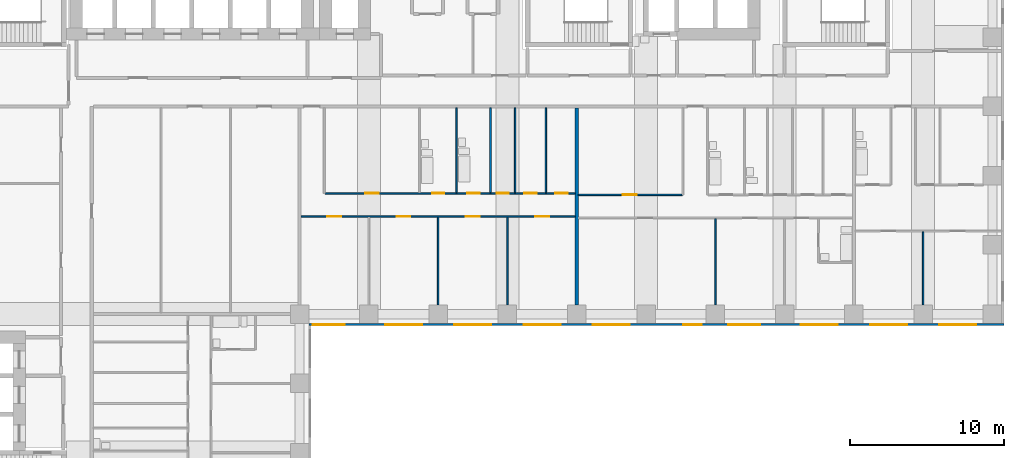
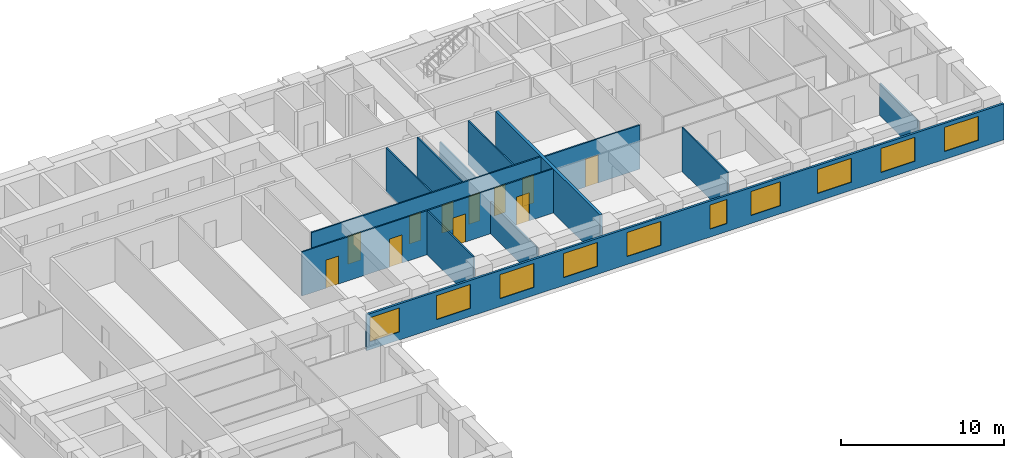
# One storey, part 6 of 12: 13 walls, 11 doors, 10 windows, 21 openings.
"""IFC4 building model written with IfcOpenShell, lengths in metres."""

from ifc_helpers import new_model, si_unit, direction, frame, frame_2d, origin, place, context, subcontext, project, spatial, rectangle, extrude, material, layer, layer_set, type_object, element, fill, save


model = new_model("IFC4")

# Units and contexts
model_context = context("Model", 3, precision=1e-05, world=origin(), true_north=direction((0.0, 1.0)))
body_context = subcontext(model_context, "Body", "Model", "MODEL_VIEW")
ifc_project = project(units=[si_unit("LENGTHUNIT", "METRE"), si_unit("AREAUNIT", "SQUARE_METRE"), si_unit("VOLUMEUNIT", "CUBIC_METRE"), si_unit("PLANEANGLEUNIT", "RADIAN"), si_unit("MASSUNIT", "GRAM", prefix="KILO")], contexts=[model_context])

# Site, building, storey
site_placement = place(None, origin())
site = spatial("IfcSite", under=ifc_project, at=site_placement, CompositionType="ELEMENT")
building_placement = place(site_placement, origin())
building = spatial("IfcBuilding", under=site, at=building_placement, Name="Firuza Court", CompositionType="ELEMENT")
storey_placement = place(building_placement, frame((0.0, 0.0, 97.39990234375)))
storey = spatial("IfcBuildingStorey", under=building, at=storey_placement, Name="L24", CompositionType="ELEMENT", Elevation=97.39990234375)

# Walls
ifc_material_1 = material(Name="Moisture-resistant gypsum board partition")
ifc_layer_1 = layer(ifc_material_1, 0.10009765625)
ifc_layer_set_1 = layer_set([ifc_layer_1], Name="Moisture-resistant gypsum board partition")
wall_type_1 = type_object("IfcWallType", Name="Bathroom partition 100", PredefinedType="PLUMBINGWALL", material=ifc_layer_set_1)
for number, where, z_axis, x_axis, name in (
    (1, (32.699951171875, 43.89990234375, 0.0), (0.0, 0.0, 1.0), (0.0, 1.0, 0.0), "Bathroom partition 100 L24"),
    (2, (34.89990234375, 43.89990234375, 0.0), (0.0, 0.0, 1.0), (0.0, 1.0, 0.0), "Bathroom partition 100 L24"),
):
    element("IfcWall", number, at=place(storey_placement, frame(where, z_axis=z_axis, x_axis=x_axis)), inside=storey, type_object=wall_type_1, Name=name, PredefinedType="PLUMBINGWALL", context=body_context, shape_type="SweptSolid", body=[
        extrude(rectangle(XDim=5.5, YDim=0.10009765625, at=frame_2d((2.75, 0.0))), origin(), (0.0, 0.0, 1.0), 3.300048828125),
    ])
ifc_material_2 = material(Name="Timber stud partition, plasterboard both sides", Category="wood")
ifc_layer_2 = layer(ifc_material_2, 0.10009765625)
ifc_layer_set_2 = layer_set([ifc_layer_2], Name="Timber stud partition, plasterboard both sides")
wall_type_2 = type_object("IfcWallType", Name="Partition wall 100", PredefinedType="PARTITIONING", material=ifc_layer_set_2)
wall_1_placement = place(storey_placement, frame((31.5, 36.60009765625, 0.0), z_axis=(0.0, 0.0, 1.0), x_axis=(0.0, 1.0, 0.0)))
element("IfcWall", 3, at=wall_1_placement, inside=storey, type_object=wall_type_2, Name="Partition wall 100 L24", PredefinedType="PARTITIONING", context=body_context, shape_type="SweptSolid", body=[
    extrude(rectangle(XDim=5.699951171875, YDim=0.10009765625, at=frame_2d((2.85009765625, 0.0))), origin(), (0.0, 0.0, 1.0), 3.300048828125),
])
wall_2_placement = place(storey_placement, frame((36.0, 36.60009765625, 0.0), z_axis=(0.0, 0.0, 1.0), x_axis=(0.0, 1.0, 0.0)))
element("IfcWall", 4, at=wall_2_placement, inside=storey, type_object=wall_type_2, Name="Partition wall 100 L24", PredefinedType="PARTITIONING", context=body_context, shape_type="SweptSolid", body=[
    extrude(rectangle(XDim=5.699951171875, YDim=0.10009765625, at=frame_2d((2.85009765625, 0.0))), origin(), (0.0, 0.0, 1.0), 2.400146484375),
])
wall_3_placement = place(storey_placement, frame((49.5, 36.60009765625, 0.0), z_axis=(0.0, 0.0, 1.0), x_axis=(0.0, 1.0, 0.0)))
element("IfcWall", 5, at=wall_3_placement, inside=storey, type_object=wall_type_2, Name="Partition wall 100 L24", PredefinedType="PARTITIONING", context=body_context, shape_type="SweptSolid", body=[
    extrude(rectangle(XDim=5.599853515625, YDim=0.10009765625, at=frame_2d((2.7998046875, 0.0))), origin(), (0.0, 0.0, 1.0), 3.300048828125),
])
wall_4_placement = place(storey_placement, frame((63.0, 36.60009765625, 0.0), z_axis=(0.0, 0.0, 1.0), x_axis=(0.0, 1.0, 0.0)))
element("IfcWall", 6, at=wall_4_placement, inside=storey, type_object=wall_type_2, Name="Partition wall 100 L24", PredefinedType="PARTITIONING", context=body_context, shape_type="SweptSolid", body=[
    extrude(rectangle(XDim=4.75, YDim=0.10009765625, at=frame_2d((2.375, 0.0))), origin(), (0.0, 0.0, 1.0), 2.400146484375),
])

# Wall, openings, doors
wall_5_placement = place(storey_placement, frame((22.60009765625, 42.35009765625, 0.0), z_axis=(0.0, 0.0, 1.0), x_axis=(1.0, 0.0, 0.0)))
wall_5 = element("IfcWall", 7, at=wall_5_placement, inside=storey, type_object=wall_type_2, Name="Partition wall 100 L24", PredefinedType="PARTITIONING", context=body_context, shape_type="SweptSolid", body=[
    extrude(rectangle(XDim=17.7998046875, YDim=0.10009765625, at=frame_2d((8.89990234375, 0.0))), origin(), (0.0, 0.0, 1.0), 3.300048828125),
])
opening_1_placement = place(wall_5_placement, frame((1.699951171875, 0.0, 0.0)))
opening_1 = element("IfcOpeningElement", 8, at=opening_1_placement, cuts=wall_5, Name="Opening D24047", PredefinedType="OPENING", context=body_context, shape_type="SweptSolid", body=[
    extrude(rectangle(XDim=0.89990234375, YDim=2.10009765625, at=frame_2d((0.449951171875, 1.050048828125))), frame((0.0, 0.06201171875, 0.0), z_axis=(0.0, -1.0, 0.0), x_axis=(1.0, 0.0, 0.0)), (0.0, 0.0, 1.0), 0.1240234375),
])
opening_2_placement = place(wall_5_placement, frame((6.199951171875, 0.0, 0.0)))
opening_2 = element("IfcOpeningElement", 9, at=opening_2_placement, cuts=wall_5, Name="Opening D24048", PredefinedType="OPENING", context=body_context, shape_type="SweptSolid", body=[
    extrude(rectangle(XDim=0.89990234375, YDim=2.10009765625, at=frame_2d((0.449951171875, 1.050048828125))), frame((0.0, 0.06201171875, 0.0), z_axis=(0.0, -1.0, 0.0), x_axis=(1.0, 0.0, 0.0)), (0.0, 0.0, 1.0), 0.1240234375),
])
opening_3_placement = place(wall_5_placement, frame((10.699951171875, 0.0, 0.0)))
opening_3 = element("IfcOpeningElement", 10, at=opening_3_placement, cuts=wall_5, Name="Opening D24049", PredefinedType="OPENING", context=body_context, shape_type="SweptSolid", body=[
    extrude(rectangle(XDim=0.89990234375, YDim=2.10009765625, at=frame_2d((0.449951171875, 1.050048828125))), frame((0.0, 0.06201171875, 0.0), z_axis=(0.0, -1.0, 0.0), x_axis=(1.0, 0.0, 0.0)), (0.0, 0.0, 1.0), 0.1240234375),
])
opening_4_placement = place(wall_5_placement, frame((15.199951171875, 0.0, 0.0)))
opening_4 = element("IfcOpeningElement", 11, at=opening_4_placement, cuts=wall_5, Name="Opening D24050", PredefinedType="OPENING", context=body_context, shape_type="SweptSolid", body=[
    extrude(rectangle(XDim=0.89990234375, YDim=2.10009765625, at=frame_2d((0.449951171875, 1.050048828125))), frame((0.0, 0.06201171875, 0.0), z_axis=(0.0, -1.0, 0.0), x_axis=(1.0, 0.0, 0.0)), (0.0, 0.0, 1.0), 0.1240234375),
])
ifc_material_3 = material(Name="Timber door leaf in hardwood frame", Category="wood")
door_type_1 = type_object("IfcDoorType", Name="Room door 900", OperationType="SINGLE_SWING_LEFT", PredefinedType="DOOR", material=ifc_material_3)
door_1_placement = place(opening_1_placement, frame((0.89990234375, 0.0, 0.0), z_axis=(0.0, 0.0, 1.0), x_axis=(-1.0, 0.0, 0.0)))
door_1 = element("IfcDoor", 12, at=door_1_placement, inside=storey, type_object=door_type_1, Name="Living room door", OperationType="SINGLE_SWING_RIGHT", OverallHeight=2.10009765625, OverallWidth=0.89990234375, PredefinedType="DOOR", context=body_context, shape_type="SweptSolid", body=[
    extrude(rectangle(XDim=0.89990234375, YDim=2.10009765625, at=frame_2d((0.449951171875, 1.050048828125))), frame((0.0, 0.02490234375, 0.0), z_axis=(0.0, -1.0, 0.0), x_axis=(1.0, 0.0, 0.0)), (0.0, 0.0, 1.0), 0.050048828125),
])
fill(opening_1, door_1)
door_2_placement = place(opening_2_placement, frame((0.89990234375, 0.0, 0.0), z_axis=(0.0, 0.0, 1.0), x_axis=(-1.0, 0.0, 0.0)))
door_2 = element("IfcDoor", 13, at=door_2_placement, inside=storey, type_object=door_type_1, Name="Bedroom door", OperationType="SINGLE_SWING_RIGHT", OverallHeight=2.10009765625, OverallWidth=0.89990234375, PredefinedType="DOOR", context=body_context, shape_type="SweptSolid", body=[
    extrude(rectangle(XDim=0.89990234375, YDim=2.10009765625, at=frame_2d((0.449951171875, 1.050048828125))), frame((0.0, 0.02490234375, 0.0), z_axis=(0.0, -1.0, 0.0), x_axis=(1.0, 0.0, 0.0)), (0.0, 0.0, 1.0), 0.050048828125),
])
fill(opening_2, door_2)
door_3_placement = place(opening_3_placement, frame((0.89990234375, 0.0, 0.0), z_axis=(0.0, 0.0, 1.0), x_axis=(-1.0, 0.0, 0.0)))
door_3 = element("IfcDoor", 14, at=door_3_placement, inside=storey, type_object=door_type_1, Name="Bedroom door", OperationType="SINGLE_SWING_RIGHT", OverallHeight=2.10009765625, OverallWidth=0.89990234375, PredefinedType="DOOR", context=body_context, shape_type="SweptSolid", body=[
    extrude(rectangle(XDim=0.89990234375, YDim=2.10009765625, at=frame_2d((0.449951171875, 1.050048828125))), frame((0.0, 0.02490234375, 0.0), z_axis=(0.0, -1.0, 0.0), x_axis=(1.0, 0.0, 0.0)), (0.0, 0.0, 1.0), 0.050048828125),
])
fill(opening_3, door_3)
door_4_placement = place(opening_4_placement, frame((0.89990234375, 0.0, 0.0), z_axis=(0.0, 0.0, 1.0), x_axis=(-1.0, 0.0, 0.0)))
door_4 = element("IfcDoor", 15, at=door_4_placement, inside=storey, type_object=door_type_1, Name="Bedroom door", OperationType="SINGLE_SWING_RIGHT", OverallHeight=2.10009765625, OverallWidth=0.89990234375, PredefinedType="DOOR", context=body_context, shape_type="SweptSolid", body=[
    extrude(rectangle(XDim=0.89990234375, YDim=2.10009765625, at=frame_2d((0.449951171875, 1.050048828125))), frame((0.0, 0.02490234375, 0.0), z_axis=(0.0, -1.0, 0.0), x_axis=(1.0, 0.0, 0.0)), (0.0, 0.0, 1.0), 0.050048828125),
])
fill(opening_4, door_4)

# Wall, opening, door
wall_6_placement = place(storey_placement, frame((40.60009765625, 43.75, 0.0), z_axis=(0.0, 0.0, 1.0), x_axis=(1.0, 0.0, 0.0)))
wall_6 = element("IfcWall", 16, at=wall_6_placement, inside=storey, type_object=wall_type_2, Name="Partition wall 100 L24", PredefinedType="PARTITIONING", context=body_context, shape_type="SweptSolid", body=[
    extrude(rectangle(XDim=6.75, YDim=0.10009765625, at=frame_2d((3.375, 0.0))), origin(), (0.0, 0.0, 1.0), 3.300048828125),
])
opening_5_placement = place(wall_6_placement, frame((2.89990234375, 0.0, 0.0)))
opening_5 = element("IfcOpeningElement", 17, at=opening_5_placement, cuts=wall_6, Name="Opening D24051", PredefinedType="OPENING", context=body_context, shape_type="SweptSolid", body=[
    extrude(rectangle(XDim=0.89990234375, YDim=2.10009765625, at=frame_2d((0.449951171875, 1.050048828125))), frame((0.0, 0.06201171875, 0.0), z_axis=(0.0, -1.0, 0.0), x_axis=(1.0, 0.0, 0.0)), (0.0, 0.0, 1.0), 0.1240234375),
])
door_5_placement = place(opening_5_placement, origin())
door_5 = element("IfcDoor", 18, at=door_5_placement, inside=storey, type_object=door_type_1, Name="Kitchen door", OperationType="SINGLE_SWING_LEFT", OverallHeight=2.10009765625, OverallWidth=0.89990234375, PredefinedType="DOOR", context=body_context, shape_type="SweptSolid", body=[
    extrude(rectangle(XDim=0.89990234375, YDim=2.10009765625, at=frame_2d((0.449951171875, 1.050048828125))), frame((0.0, 0.02490234375, 0.0), z_axis=(0.0, -1.0, 0.0), x_axis=(1.0, 0.0, 0.0)), (0.0, 0.0, 1.0), 0.050048828125),
])
fill(opening_5, door_5)

# Wall, openings, doors
wall_7_placement = place(storey_placement, frame((24.14990234375, 43.85009765625, 0.0), z_axis=(0.0, 0.0, 1.0), x_axis=(1.0, 0.0, 0.0)))
wall_7 = element("IfcWall", 19, at=wall_7_placement, inside=storey, type_object=wall_type_2, Name="Partition wall 100 L24", PredefinedType="PARTITIONING", context=body_context, shape_type="SweptSolid", body=[
    extrude(rectangle(XDim=16.25, YDim=0.10009765625, at=frame_2d((8.125, 0.0))), origin(), (0.0, 0.0, 1.0), 3.300048828125),
])
opening_6_placement = place(wall_7_placement, frame((6.949951171875, 0.0, 0.0)))
opening_6 = element("IfcOpeningElement", 20, at=opening_6_placement, cuts=wall_7, Name="Opening D24057", PredefinedType="OPENING", context=body_context, shape_type="SweptSolid", body=[
    extrude(rectangle(XDim=0.800048828125, YDim=2.10009765625, at=frame_2d((0.39990234375, 1.050048828125))), frame((0.0, 0.06201171875, 0.0), z_axis=(0.0, -1.0, 0.0), x_axis=(1.0, 0.0, 0.0)), (0.0, 0.0, 1.0), 0.1240234375),
])
opening_7_placement = place(wall_7_placement, frame((9.25, 0.0, 0.0)))
opening_7 = element("IfcOpeningElement", 21, at=opening_7_placement, cuts=wall_7, Name="Opening D24058", PredefinedType="OPENING", context=body_context, shape_type="SweptSolid", body=[
    extrude(rectangle(XDim=0.800048828125, YDim=2.10009765625, at=frame_2d((0.39990234375, 1.050048828125))), frame((0.0, 0.06201171875, 0.0), z_axis=(0.0, -1.0, 0.0), x_axis=(1.0, 0.0, 0.0)), (0.0, 0.0, 1.0), 0.1240234375),
])
opening_8_placement = place(wall_7_placement, frame((2.60009765625, 0.0, 0.0)))
opening_8 = element("IfcOpeningElement", 22, at=opening_8_placement, cuts=wall_7, Name="Opening D24059", PredefinedType="OPENING", context=body_context, shape_type="SweptSolid", body=[
    extrude(rectangle(XDim=0.89990234375, YDim=2.10009765625, at=frame_2d((0.449951171875, 1.050048828125))), frame((0.0, 0.06201171875, 0.0), z_axis=(0.0, -1.0, 0.0), x_axis=(1.0, 0.0, 0.0)), (0.0, 0.0, 1.0), 0.1240234375),
])
opening_9_placement = place(wall_7_placement, frame((14.949951171875, 0.0, 0.0)))
opening_9 = element("IfcOpeningElement", 23, at=opening_9_placement, cuts=wall_7, Name="Opening D24060", PredefinedType="OPENING", context=body_context, shape_type="SweptSolid", body=[
    extrude(rectangle(XDim=0.800048828125, YDim=2.10009765625, at=frame_2d((0.39990234375, 1.050048828125))), frame((0.0, 0.06201171875, 0.0), z_axis=(0.0, -1.0, 0.0), x_axis=(1.0, 0.0, 0.0)), (0.0, 0.0, 1.0), 0.1240234375),
])
opening_10_placement = place(wall_7_placement, frame((11.14990234375, 0.0, 0.0)))
opening_10 = element("IfcOpeningElement", 24, at=opening_10_placement, cuts=wall_7, Name="Opening D24061", PredefinedType="OPENING", context=body_context, shape_type="SweptSolid", body=[
    extrude(rectangle(XDim=0.800048828125, YDim=2.10009765625, at=frame_2d((0.39990234375, 1.050048828125))), frame((0.0, 0.06201171875, 0.0), z_axis=(0.0, -1.0, 0.0), x_axis=(1.0, 0.0, 0.0)), (0.0, 0.0, 1.0), 0.1240234375),
])
opening_11_placement = place(wall_7_placement, frame((12.949951171875, 0.0, 0.0)))
opening_11 = element("IfcOpeningElement", 25, at=opening_11_placement, cuts=wall_7, Name="Opening D24062", PredefinedType="OPENING", context=body_context, shape_type="SweptSolid", body=[
    extrude(rectangle(XDim=0.800048828125, YDim=2.10009765625, at=frame_2d((0.39990234375, 1.050048828125))), frame((0.0, 0.06201171875, 0.0), z_axis=(0.0, -1.0, 0.0), x_axis=(1.0, 0.0, 0.0)), (0.0, 0.0, 1.0), 0.1240234375),
])
ifc_material_4 = material(Name="Timber door leaf in hardwood frame", Category="wood")
door_type_2 = type_object("IfcDoorType", Name="Bathroom door 800", OperationType="SINGLE_SWING_LEFT", PredefinedType="DOOR", material=ifc_material_4)
door_6_placement = place(opening_6_placement, origin())
door_6 = element("IfcDoor", 26, at=door_6_placement, inside=storey, type_object=door_type_2, Name="Bathroom door", OperationType="SINGLE_SWING_LEFT", OverallHeight=2.10009765625, OverallWidth=0.800048828125, PredefinedType="DOOR", context=body_context, shape_type="SweptSolid", body=[
    extrude(rectangle(XDim=0.800048828125, YDim=2.10009765625, at=frame_2d((0.39990234375, 1.050048828125))), frame((0.0, 0.02490234375, 0.0), z_axis=(0.0, -1.0, 0.0), x_axis=(1.0, 0.0, 0.0)), (0.0, 0.0, 1.0), 0.050048828125),
])
fill(opening_6, door_6)
door_7_placement = place(opening_7_placement, origin())
door_7 = element("IfcDoor", 27, at=door_7_placement, inside=storey, type_object=door_type_2, Name="Bathroom 2 door", OperationType="SINGLE_SWING_LEFT", OverallHeight=2.10009765625, OverallWidth=0.800048828125, PredefinedType="DOOR", context=body_context, shape_type="SweptSolid", body=[
    extrude(rectangle(XDim=0.800048828125, YDim=2.10009765625, at=frame_2d((0.39990234375, 1.050048828125))), frame((0.0, 0.02490234375, 0.0), z_axis=(0.0, -1.0, 0.0), x_axis=(1.0, 0.0, 0.0)), (0.0, 0.0, 1.0), 0.050048828125),
])
fill(opening_7, door_7)
ifc_material_5 = material(Name="Timber door leaf in hardwood frame", Category="wood")
door_type_3 = type_object("IfcDoorType", Name="Room door 800", OperationType="SINGLE_SWING_LEFT", PredefinedType="DOOR", material=ifc_material_5)
door_8_placement = place(opening_9_placement, origin())
door_8 = element("IfcDoor", 28, at=door_8_placement, inside=storey, type_object=door_type_3, Name="Pantry door", OperationType="SINGLE_SWING_LEFT", OverallHeight=2.10009765625, OverallWidth=0.800048828125, PredefinedType="DOOR", context=body_context, shape_type="SweptSolid", body=[
    extrude(rectangle(XDim=0.800048828125, YDim=2.10009765625, at=frame_2d((0.39990234375, 1.050048828125))), frame((0.0, 0.02490234375, 0.0), z_axis=(0.0, -1.0, 0.0), x_axis=(1.0, 0.0, 0.0)), (0.0, 0.0, 1.0), 0.050048828125),
])
fill(opening_9, door_8)
door_9_placement = place(opening_10_placement, origin())
door_9 = element("IfcDoor", 29, at=door_9_placement, inside=storey, type_object=door_type_3, Name="Store door", OperationType="SINGLE_SWING_LEFT", OverallHeight=2.10009765625, OverallWidth=0.800048828125, PredefinedType="DOOR", context=body_context, shape_type="SweptSolid", body=[
    extrude(rectangle(XDim=0.800048828125, YDim=2.10009765625, at=frame_2d((0.39990234375, 1.050048828125))), frame((0.0, 0.02490234375, 0.0), z_axis=(0.0, -1.0, 0.0), x_axis=(1.0, 0.0, 0.0)), (0.0, 0.0, 1.0), 0.050048828125),
])
fill(opening_10, door_9)
door_10_placement = place(opening_11_placement, origin())
door_10 = element("IfcDoor", 30, at=door_10_placement, inside=storey, type_object=door_type_3, Name="Utility room door", OperationType="SINGLE_SWING_LEFT", OverallHeight=2.10009765625, OverallWidth=0.800048828125, PredefinedType="DOOR", context=body_context, shape_type="SweptSolid", body=[
    extrude(rectangle(XDim=0.800048828125, YDim=2.10009765625, at=frame_2d((0.39990234375, 1.050048828125))), frame((0.0, 0.02490234375, 0.0), z_axis=(0.0, -1.0, 0.0), x_axis=(1.0, 0.0, 0.0)), (0.0, 0.0, 1.0), 0.050048828125),
])
fill(opening_11, door_10)
door_11_placement = place(opening_8_placement, origin())
door_11 = element("IfcDoor", 31, at=door_11_placement, inside=storey, type_object=door_type_1, Name="Kitchen door", OperationType="SINGLE_SWING_LEFT", OverallHeight=2.10009765625, OverallWidth=0.89990234375, PredefinedType="DOOR", context=body_context, shape_type="SweptSolid", body=[
    extrude(rectangle(XDim=0.89990234375, YDim=2.10009765625, at=frame_2d((0.449951171875, 1.050048828125))), frame((0.0, 0.02490234375, 0.0), z_axis=(0.0, -1.0, 0.0), x_axis=(1.0, 0.0, 0.0)), (0.0, 0.0, 1.0), 0.050048828125),
])
fill(opening_8, door_11)

# Walls
wall_8_placement = place(storey_placement, frame((36.5, 43.89990234375, 0.0), z_axis=(0.0, 0.0, 1.0), x_axis=(0.0, 1.0, 0.0)))
element("IfcWall", 32, at=wall_8_placement, inside=storey, type_object=wall_type_2, Name="Partition wall 100 L24", PredefinedType="PARTITIONING", context=body_context, shape_type="SweptSolid", body=[
    extrude(rectangle(XDim=5.5, YDim=0.10009765625, at=frame_2d((2.75, 0.0))), origin(), (0.0, 0.0, 1.0), 2.400146484375),
])
wall_9_placement = place(storey_placement, frame((38.5, 43.89990234375, 0.0), z_axis=(0.0, 0.0, 1.0), x_axis=(0.0, 1.0, 0.0)))
element("IfcWall", 33, at=wall_9_placement, inside=storey, type_object=wall_type_2, Name="Partition wall 100 L24", PredefinedType="PARTITIONING", context=body_context, shape_type="SweptSolid", body=[
    extrude(rectangle(XDim=5.5, YDim=0.10009765625, at=frame_2d((2.75, 0.0))), origin(), (0.0, 0.0, 1.0), 3.300048828125),
])
ifc_material_6 = material(Name="Blockwork, plastered both sides", Category="masonry")
ifc_layer_3 = layer(ifc_material_6, 0.199951171875)
ifc_layer_set_3 = layer_set([ifc_layer_3], Name="Blockwork, plastered both sides")
wall_type_3 = type_object("IfcWallType", Name="Party wall 200", PredefinedType="PARTITIONING", material=ifc_layer_set_3)
wall_10_placement = place(storey_placement, frame((40.5, 36.60009765625, 0.0), z_axis=(0.0, 0.0, 1.0), x_axis=(0.0, 1.0, 0.0)))
element("IfcWall", 34, at=wall_10_placement, inside=storey, type_object=wall_type_3, Name="Party wall 200 L24", PredefinedType="PARTITIONING", context=body_context, shape_type="SweptSolid", body=[
    extrude(rectangle(XDim=12.7998046875, YDim=0.199951171875, at=frame_2d((6.39990234375, 0.0))), origin(), (0.0, 0.0, 1.0), 3.300048828125),
])

# Wall, openings, windows
ifc_material_7 = material(Name="Ceramic tile", Category="ceramic")
ifc_layer_4 = layer(ifc_material_7, 0.02001953125)
ifc_material_8 = material(Name="Mineral wool insulation", Category="insulation")
ifc_layer_5 = layer(ifc_material_8, 0.050048828125)
ifc_material_9 = material(Name="Concrete C40/50 precast", Category="concrete")
ifc_layer_6 = layer(ifc_material_9, 0.080078125)
ifc_layer_set_4 = layer_set([ifc_layer_4, ifc_layer_5, ifc_layer_6], Name="Concrete C40/50 precast")
wall_type_4 = type_object("IfcWallType", Name="Precast cladding wall with turquoise TILE PANEL face 150", PredefinedType="STANDARD", material=ifc_layer_set_4)
wall_11_placement = place(storey_placement, frame((23.10009765625, 35.324951171875, 0.0), z_axis=(0.0, 0.0, 1.0), x_axis=(1.0, 0.0, 0.0)))
wall_11 = element("IfcWall", 35, at=wall_11_placement, inside=storey, type_object=wall_type_4, Name="Facade wall L24 S", PredefinedType="STANDARD", context=body_context, shape_type="SweptSolid", body=[
    extrude(rectangle(XDim=45.14990234375, YDim=0.14990234375, at=frame_2d((22.574951171875, 0.0))), origin(), (0.0, 0.0, 1.0), 2.7001953125),
])
opening_12_placement = place(wall_11_placement, frame((0.23828125, 0.0, 0.60009765625)))
opening_12 = element("IfcOpeningElement", 36, at=opening_12_placement, cuts=wall_11, Name="Opening W6", PredefinedType="OPENING", context=body_context, shape_type="SweptSolid", body=[
    extrude(rectangle(XDim=2.10009765625, YDim=1.800048828125, at=frame_2d((1.050048828125, 0.89990234375))), frame((0.0, 0.0869140625, 0.0), z_axis=(0.0, -1.0, 0.0), x_axis=(1.0, 0.0, 0.0)), (0.0, 0.0, 1.0), 0.173828125),
])
opening_13_placement = place(wall_11_placement, frame((4.949951171875, 0.0, 0.60009765625)))
opening_13 = element("IfcOpeningElement", 37, at=opening_13_placement, cuts=wall_11, Name="Opening W1", PredefinedType="OPENING", context=body_context, shape_type="SweptSolid", body=[
    extrude(rectangle(XDim=2.39990234375, YDim=1.800048828125, at=frame_2d((1.199951171875, 0.89990234375))), frame((0.0, 0.0869140625, 0.0), z_axis=(0.0, -1.0, 0.0), x_axis=(1.0, 0.0, 0.0)), (0.0, 0.0, 1.0), 0.173828125),
])
opening_14_placement = place(wall_11_placement, frame((9.449951171875, 0.0, 0.60009765625)))
opening_14 = element("IfcOpeningElement", 38, at=opening_14_placement, cuts=wall_11, Name="Opening W1", PredefinedType="OPENING", context=body_context, shape_type="SweptSolid", body=[
    extrude(rectangle(XDim=2.39990234375, YDim=1.800048828125, at=frame_2d((1.199951171875, 0.89990234375))), frame((0.0, 0.0869140625, 0.0), z_axis=(0.0, -1.0, 0.0), x_axis=(1.0, 0.0, 0.0)), (0.0, 0.0, 1.0), 0.173828125),
])
opening_15_placement = place(wall_11_placement, frame((13.949951171875, 0.0, 0.60009765625)))
opening_15 = element("IfcOpeningElement", 39, at=opening_15_placement, cuts=wall_11, Name="Opening W1", PredefinedType="OPENING", context=body_context, shape_type="SweptSolid", body=[
    extrude(rectangle(XDim=2.39990234375, YDim=1.800048828125, at=frame_2d((1.199951171875, 0.89990234375))), frame((0.0, 0.0869140625, 0.0), z_axis=(0.0, -1.0, 0.0), x_axis=(1.0, 0.0, 0.0)), (0.0, 0.0, 1.0), 0.173828125),
])
opening_16_placement = place(wall_11_placement, frame((18.449951171875, 0.0, 0.60009765625)))
opening_16 = element("IfcOpeningElement", 40, at=opening_16_placement, cuts=wall_11, Name="Opening W1", PredefinedType="OPENING", context=body_context, shape_type="SweptSolid", body=[
    extrude(rectangle(XDim=2.39990234375, YDim=1.800048828125, at=frame_2d((1.199951171875, 0.89990234375))), frame((0.0, 0.0869140625, 0.0), z_axis=(0.0, -1.0, 0.0), x_axis=(1.0, 0.0, 0.0)), (0.0, 0.0, 1.0), 0.173828125),
])
opening_17_placement = place(wall_11_placement, frame((24.32568359375, 0.0, 0.60009765625)))
opening_17 = element("IfcOpeningElement", 41, at=opening_17_placement, cuts=wall_11, Name="Opening W8", PredefinedType="OPENING", context=body_context, shape_type="SweptSolid", body=[
    extrude(rectangle(XDim=1.199951171875, YDim=1.800048828125, at=frame_2d((0.60009765625, 0.89990234375))), frame((0.0, 0.0869140625, 0.0), z_axis=(0.0, -1.0, 0.0), x_axis=(1.0, 0.0, 0.0)), (0.0, 0.0, 1.0), 0.173828125),
])
opening_18_placement = place(wall_11_placement, frame((27.22705078125, 0.0, 0.60009765625)))
opening_18 = element("IfcOpeningElement", 42, at=opening_18_placement, cuts=wall_11, Name="Opening W6", PredefinedType="OPENING", context=body_context, shape_type="SweptSolid", body=[
    extrude(rectangle(XDim=2.10009765625, YDim=1.800048828125, at=frame_2d((1.050048828125, 0.89990234375))), frame((0.0, 0.0869140625, 0.0), z_axis=(0.0, -1.0, 0.0), x_axis=(1.0, 0.0, 0.0)), (0.0, 0.0, 1.0), 0.173828125),
])
opening_19_placement = place(wall_11_placement, frame((31.949951171875, 0.0, 0.60009765625)))
opening_19 = element("IfcOpeningElement", 43, at=opening_19_placement, cuts=wall_11, Name="Opening W1", PredefinedType="OPENING", context=body_context, shape_type="SweptSolid", body=[
    extrude(rectangle(XDim=2.39990234375, YDim=1.800048828125, at=frame_2d((1.199951171875, 0.89990234375))), frame((0.0, 0.0869140625, 0.0), z_axis=(0.0, -1.0, 0.0), x_axis=(1.0, 0.0, 0.0)), (0.0, 0.0, 1.0), 0.173828125),
])
opening_20_placement = place(wall_11_placement, frame((36.449951171875, 0.0, 0.60009765625)))
opening_20 = element("IfcOpeningElement", 44, at=opening_20_placement, cuts=wall_11, Name="Opening W1", PredefinedType="OPENING", context=body_context, shape_type="SweptSolid", body=[
    extrude(rectangle(XDim=2.39990234375, YDim=1.800048828125, at=frame_2d((1.199951171875, 0.89990234375))), frame((0.0, 0.0869140625, 0.0), z_axis=(0.0, -1.0, 0.0), x_axis=(1.0, 0.0, 0.0)), (0.0, 0.0, 1.0), 0.173828125),
])
opening_21_placement = place(wall_11_placement, frame((40.949951171875, 0.0, 0.60009765625)))
opening_21 = element("IfcOpeningElement", 45, at=opening_21_placement, cuts=wall_11, Name="Opening W1", PredefinedType="OPENING", context=body_context, shape_type="SweptSolid", body=[
    extrude(rectangle(XDim=2.39990234375, YDim=1.800048828125, at=frame_2d((1.199951171875, 0.89990234375))), frame((0.0, 0.0869140625, 0.0), z_axis=(0.0, -1.0, 0.0), x_axis=(1.0, 0.0, 0.0)), (0.0, 0.0, 1.0), 0.173828125),
])
ifc_material_10 = material(Name="Aluminium frame, triple clear glazing", Category="aluminium")
window_type_1 = type_object("IfcWindowType", Name="Window W1 2400 x 1800", PartitioningType="SINGLE_PANEL", PredefinedType="WINDOW", material=ifc_material_10)
window_1_placement = place(opening_13_placement, origin())
window_1 = element("IfcWindow", 46, at=window_1_placement, inside=storey, type_object=window_type_1, Name="Window L24", OverallHeight=1.800048828125, OverallWidth=2.39990234375, PartitioningType="SINGLE_PANEL", PredefinedType="WINDOW", context=body_context, shape_type="SweptSolid", body=[
    extrude(rectangle(XDim=2.39990234375, YDim=1.800048828125, at=frame_2d((1.199951171875, 0.89990234375))), frame((0.0, 0.030029296875, 0.0), z_axis=(0.0, -1.0, 0.0), x_axis=(1.0, 0.0, 0.0)), (0.0, 0.0, 1.0), 0.06005859375),
])
fill(opening_13, window_1)
window_2_placement = place(opening_14_placement, origin())
window_2 = element("IfcWindow", 47, at=window_2_placement, inside=storey, type_object=window_type_1, Name="Window L24", OverallHeight=1.800048828125, OverallWidth=2.39990234375, PartitioningType="SINGLE_PANEL", PredefinedType="WINDOW", context=body_context, shape_type="SweptSolid", body=[
    extrude(rectangle(XDim=2.39990234375, YDim=1.800048828125, at=frame_2d((1.199951171875, 0.89990234375))), frame((0.0, 0.030029296875, 0.0), z_axis=(0.0, -1.0, 0.0), x_axis=(1.0, 0.0, 0.0)), (0.0, 0.0, 1.0), 0.06005859375),
])
fill(opening_14, window_2)
window_3_placement = place(opening_15_placement, origin())
window_3 = element("IfcWindow", 48, at=window_3_placement, inside=storey, type_object=window_type_1, Name="Window L24", OverallHeight=1.800048828125, OverallWidth=2.39990234375, PartitioningType="SINGLE_PANEL", PredefinedType="WINDOW", context=body_context, shape_type="SweptSolid", body=[
    extrude(rectangle(XDim=2.39990234375, YDim=1.800048828125, at=frame_2d((1.199951171875, 0.89990234375))), frame((0.0, 0.030029296875, 0.0), z_axis=(0.0, -1.0, 0.0), x_axis=(1.0, 0.0, 0.0)), (0.0, 0.0, 1.0), 0.06005859375),
])
fill(opening_15, window_3)
window_4_placement = place(opening_16_placement, origin())
window_4 = element("IfcWindow", 49, at=window_4_placement, inside=storey, type_object=window_type_1, Name="Window L24", OverallHeight=1.800048828125, OverallWidth=2.39990234375, PartitioningType="SINGLE_PANEL", PredefinedType="WINDOW", context=body_context, shape_type="SweptSolid", body=[
    extrude(rectangle(XDim=2.39990234375, YDim=1.800048828125, at=frame_2d((1.199951171875, 0.89990234375))), frame((0.0, 0.030029296875, 0.0), z_axis=(0.0, -1.0, 0.0), x_axis=(1.0, 0.0, 0.0)), (0.0, 0.0, 1.0), 0.06005859375),
])
fill(opening_16, window_4)
window_5_placement = place(opening_19_placement, origin())
window_5 = element("IfcWindow", 50, at=window_5_placement, inside=storey, type_object=window_type_1, Name="Window L24", OverallHeight=1.800048828125, OverallWidth=2.39990234375, PartitioningType="SINGLE_PANEL", PredefinedType="WINDOW", context=body_context, shape_type="SweptSolid", body=[
    extrude(rectangle(XDim=2.39990234375, YDim=1.800048828125, at=frame_2d((1.199951171875, 0.89990234375))), frame((0.0, 0.030029296875, 0.0), z_axis=(0.0, -1.0, 0.0), x_axis=(1.0, 0.0, 0.0)), (0.0, 0.0, 1.0), 0.06005859375),
])
fill(opening_19, window_5)
window_6_placement = place(opening_20_placement, origin())
window_6 = element("IfcWindow", 51, at=window_6_placement, inside=storey, type_object=window_type_1, Name="Window L24", OverallHeight=1.800048828125, OverallWidth=2.39990234375, PartitioningType="SINGLE_PANEL", PredefinedType="WINDOW", context=body_context, shape_type="SweptSolid", body=[
    extrude(rectangle(XDim=2.39990234375, YDim=1.800048828125, at=frame_2d((1.199951171875, 0.89990234375))), frame((0.0, 0.030029296875, 0.0), z_axis=(0.0, -1.0, 0.0), x_axis=(1.0, 0.0, 0.0)), (0.0, 0.0, 1.0), 0.06005859375),
])
fill(opening_20, window_6)
window_7_placement = place(opening_21_placement, origin())
window_7 = element("IfcWindow", 52, at=window_7_placement, inside=storey, type_object=window_type_1, Name="Window L24", OverallHeight=1.800048828125, OverallWidth=2.39990234375, PartitioningType="SINGLE_PANEL", PredefinedType="WINDOW", context=body_context, shape_type="SweptSolid", body=[
    extrude(rectangle(XDim=2.39990234375, YDim=1.800048828125, at=frame_2d((1.199951171875, 0.89990234375))), frame((0.0, 0.030029296875, 0.0), z_axis=(0.0, -1.0, 0.0), x_axis=(1.0, 0.0, 0.0)), (0.0, 0.0, 1.0), 0.06005859375),
])
fill(opening_21, window_7)
ifc_material_11 = material(Name="Aluminium frame, triple clear glazing", Category="aluminium")
window_type_2 = type_object("IfcWindowType", Name="Window W6 2100 x 1800", PartitioningType="SINGLE_PANEL", PredefinedType="WINDOW", material=ifc_material_11)
window_8_placement = place(opening_12_placement, origin())
window_8 = element("IfcWindow", 53, at=window_8_placement, inside=storey, type_object=window_type_2, Name="Window L24", OverallHeight=1.800048828125, OverallWidth=2.10009765625, PartitioningType="SINGLE_PANEL", PredefinedType="WINDOW", context=body_context, shape_type="SweptSolid", body=[
    extrude(rectangle(XDim=2.10009765625, YDim=1.800048828125, at=frame_2d((1.050048828125, 0.89990234375))), frame((0.0, 0.030029296875, 0.0), z_axis=(0.0, -1.0, 0.0), x_axis=(1.0, 0.0, 0.0)), (0.0, 0.0, 1.0), 0.06005859375),
])
fill(opening_12, window_8)
window_9_placement = place(opening_18_placement, origin())
window_9 = element("IfcWindow", 54, at=window_9_placement, inside=storey, type_object=window_type_2, Name="Window L24", OverallHeight=1.800048828125, OverallWidth=2.10009765625, PartitioningType="SINGLE_PANEL", PredefinedType="WINDOW", context=body_context, shape_type="SweptSolid", body=[
    extrude(rectangle(XDim=2.10009765625, YDim=1.800048828125, at=frame_2d((1.050048828125, 0.89990234375))), frame((0.0, 0.030029296875, 0.0), z_axis=(0.0, -1.0, 0.0), x_axis=(1.0, 0.0, 0.0)), (0.0, 0.0, 1.0), 0.06005859375),
])
fill(opening_18, window_9)
ifc_material_12 = material(Name="Aluminium frame, triple clear glazing", Category="aluminium")
window_type_3 = type_object("IfcWindowType", Name="Window W8 1200 x 1800", PartitioningType="SINGLE_PANEL", PredefinedType="WINDOW", material=ifc_material_12)
window_10_placement = place(opening_17_placement, origin())
window_10 = element("IfcWindow", 55, at=window_10_placement, inside=storey, type_object=window_type_3, Name="Window L24", OverallHeight=1.800048828125, OverallWidth=1.199951171875, PartitioningType="SINGLE_PANEL", PredefinedType="WINDOW", context=body_context, shape_type="SweptSolid", body=[
    extrude(rectangle(XDim=1.199951171875, YDim=1.800048828125, at=frame_2d((0.60009765625, 0.89990234375))), frame((0.0, 0.030029296875, 0.0), z_axis=(0.0, -1.0, 0.0), x_axis=(1.0, 0.0, 0.0)), (0.0, 0.0, 1.0), 0.06005859375),
])
fill(opening_17, window_10)

save(model, "model.ifc")
